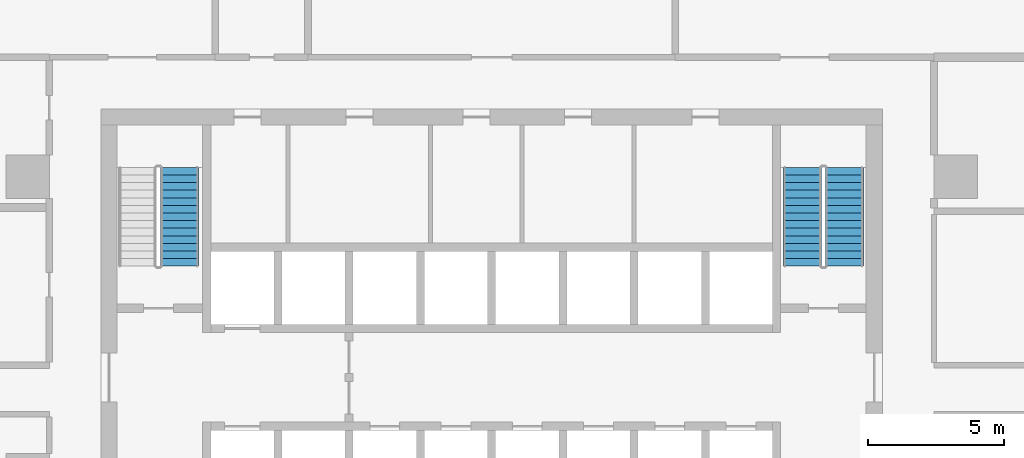
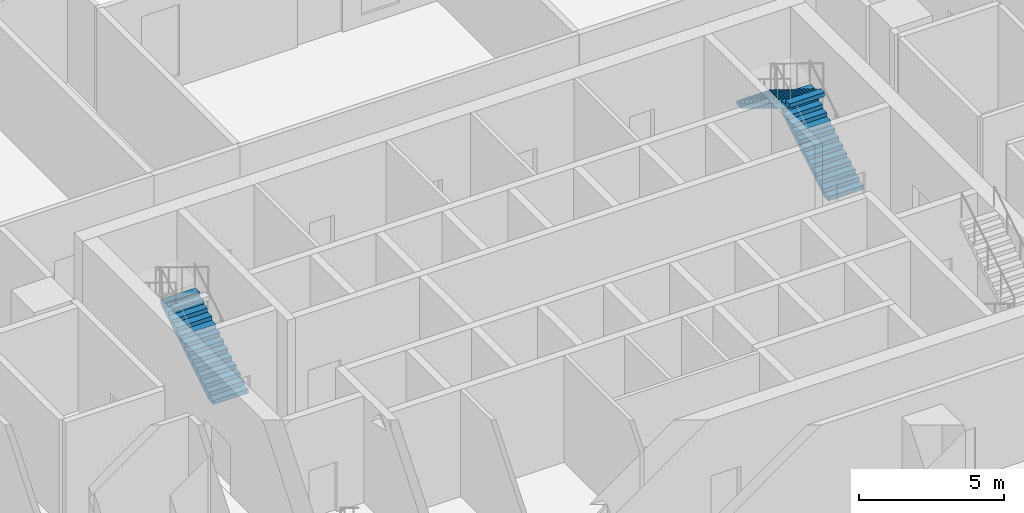
# One storey, part 11 of 17: 3 stair flights, 2 elements without a shape of their own.
"""IFC4 building model written with IfcOpenShell, lengths in metres."""

import ifcopenshell
import ifcopenshell.guid

model = None  # the IFC model being written
_history = None  # IfcOwnerHistory: only IFC2X3 demands one
_inside = {}  # id of a spatial element -> (the spatial element, [elements in it])
_under = {}  # id of a project, library or spatial element -> (it, [spatial elements below it])
_declared = {}  # id of a project -> (the project, [libraries it declares])
_typed = {}  # id of a type object -> (the type object, [elements of that type])
_made_of = {}  # id of a material, layer set ... -> (it, [elements and type objects made of it])


def new_model(schema):
    """Start an empty IFC model of exactly this schema.

    Asked for "IFC4X3", IfcOpenShell would pick the latest addendum, in which some entities
    have other attributes; the version numbers below select the first issue.
    IFC2X3 requires an IfcOwnerHistory on every rooted entity: one is made here for all.
    """
    global model, _history
    if schema == "IFC4X3":
        model = ifcopenshell.file(schema_version=(4, 3, 0, 0))
    else:
        model = ifcopenshell.file(schema=schema)
    _inside.clear()
    _under.clear()
    _declared.clear()
    _typed.clear()
    _made_of.clear()
    _history = None
    if model.schema == "IFC2X3":
        org = make("IfcOrganization", Name="unknown")
        user = make(
            "IfcPersonAndOrganization",
            ThePerson=make("IfcPerson", FamilyName="unknown"),
            TheOrganization=org,
        )
        app = make(
            "IfcApplication",
            ApplicationDeveloper=org,
            Version="unknown",
            ApplicationFullName="unknown",
            ApplicationIdentifier="unknown",
        )
        _history = make(
            "IfcOwnerHistory",
            OwningUser=user,
            OwningApplication=app,
            ChangeAction="ADDED",
            CreationDate=0,
        )
    return model


def make(cls, **values):
    """One entity of the class cls with the attributes given. An attribute that is None is left unset."""
    return model.create_entity(
        cls, **{name: value for name, value in values.items() if value is not None}
    )


def rooted(cls, **values):
    """An entity with a GlobalId (a new one), such as an element, a storey or a relation."""
    return make(cls, GlobalId=ifcopenshell.guid.new(), OwnerHistory=_history, **values)


def si_unit(unit_type, name, prefix=None):
    """IfcSIUnit, for example si_unit("LENGTHUNIT", "METRE", prefix="MILLI")."""
    return make("IfcSIUnit", UnitType=unit_type, Prefix=prefix, Name=name)


def assignment(units):
    """IfcUnitAssignment: the units of a project."""
    return None if units is None else make("IfcUnitAssignment", Units=units)


def point(xyz):
    """IfcCartesianPoint."""
    return None if xyz is None else make("IfcCartesianPoint", Coordinates=xyz)


def direction(xyz):
    """IfcDirection."""
    return None if xyz is None else make("IfcDirection", DirectionRatios=xyz)


def frame(location, z_axis=None, x_axis=None):
    """IfcAxis2Placement3D, a coordinate frame: its origin and axes. An axis left out is left unset."""
    return make(
        "IfcAxis2Placement3D",
        Location=point(location),
        Axis=direction(z_axis),
        RefDirection=direction(x_axis),
    )


def origin():
    """The frame at (0, 0, 0) with its axes left unset."""
    return frame((0.0, 0.0, 0.0))


def place(relative_to, where):
    """IfcLocalPlacement: puts the frame where relative to a parent placement (None: the world)."""
    return make(
        "IfcLocalPlacement", PlacementRelTo=relative_to, RelativePlacement=where
    )


def context(
    kind, dimensions, precision=None, world=None, true_north=None, identifier=None
):
    """IfcGeometricRepresentationContext, for example the 3D "Model" context."""
    return make(
        "IfcGeometricRepresentationContext",
        ContextIdentifier=identifier,
        ContextType=kind,
        CoordinateSpaceDimension=dimensions,
        Precision=precision,
        WorldCoordinateSystem=world,
        TrueNorth=true_north,
    )


def subcontext(parent, identifier, kind, view, scale=None):
    """IfcGeometricRepresentationSubContext, for example "Body" below "Model"."""
    return make(
        "IfcGeometricRepresentationSubContext",
        ContextIdentifier=identifier,
        ContextType=kind,
        ParentContext=parent,
        TargetScale=scale,
        TargetView=view,
    )


def project(units=None, contexts=None):
    """IfcProject with its units and contexts."""
    return rooted(
        "IfcProject",
        Name="project",
        RepresentationContexts=contexts,
        UnitsInContext=assignment(units),
    )


def spatial(cls, under=None, at=None, **own):
    """A site, building, storey or space (cls), placed at a placement, below another one or the project."""
    s = rooted(cls, ObjectPlacement=at, **own)
    if under is not None:
        _under.setdefault(under.id(), (under, []))[1].append(s)
    return s


def polyline(points):
    """IfcPolyline through the points."""
    return make("IfcPolyline", Points=[point(p) for p in points])


def outline(outer, holes=None, kind="AREA"):
    """IfcArbitraryClosedProfileDef: a profile drawn as a closed curve; with holes, ...WithVoids."""
    if holes is None:
        return make("IfcArbitraryClosedProfileDef", ProfileType=kind, OuterCurve=outer)
    return make(
        "IfcArbitraryProfileDefWithVoids",
        ProfileType=kind,
        OuterCurve=outer,
        InnerCurves=holes,
    )


def extrude(swept, where, along, depth):
    """IfcExtrudedAreaSolid: the profile swept, set in the frame where, extruded along a direction by depth."""
    return make(
        "IfcExtrudedAreaSolid",
        SweptArea=swept,
        Position=where,
        ExtrudedDirection=direction(along),
        Depth=depth,
    )


def shape(context_of_items, identifier, shape_type, items):
    """IfcShapeRepresentation: the items that make up one representation, for example the "Body"."""
    return make(
        "IfcShapeRepresentation",
        ContextOfItems=context_of_items,
        RepresentationIdentifier=identifier,
        RepresentationType=shape_type,
        Items=items,
    )


def material(Name=None, Category=None):
    """IfcMaterial."""
    return make("IfcMaterial", Name=Name, Category=Category)


def made_of(thing, what):
    """Note that an element or type object is made of a material, layer set ...; save() writes the relation."""
    if what is not None:
        _made_of.setdefault(what.id(), (what, []))[1].append(thing)
    return thing


def type_object(cls, material=None, **own):
    """A type object (cls), such as IfcWallType, which elements share."""
    return made_of(rooted(cls, **own), material)


def element(
    cls,
    number,
    at=None,
    inside=None,
    cuts=None,
    type_object=None,
    material=None,
    context=None,
    identifier="Body",
    shape_type=None,
    held_by="IfcProductDefinitionShape",
    body=None,
    shapes=None,
    **own,
):
    """One element of the class cls, such as IfcWall. Its Tag is "e" and its number.

    at: its placement. inside: the storey or other place that contains it. cuts: it is an
    opening in that element (IfcRelVoidsElement). A single representation is given by context,
    identifier, shape_type and body (its items); several are given by shapes. held_by: the class
    of the entity that holds the representations. save() writes the other relations.
    """
    e = rooted(cls, Tag="e%d" % number, ObjectPlacement=at, **own)
    if body is not None:
        shapes = [shape(context, identifier, shape_type, body)]
    if shapes is not None:
        e.Representation = make(held_by, Representations=shapes)
    if inside is not None:
        _inside.setdefault(inside.id(), (inside, []))[1].append(e)
    if cuts is not None:
        rooted(
            "IfcRelVoidsElement", RelatingBuildingElement=cuts, RelatedOpeningElement=e
        )
    if type_object is not None:
        _typed.setdefault(type_object.id(), (type_object, []))[1].append(e)
    return made_of(e, material)


def aggregate(whole, parts):
    """IfcRelAggregates: a whole, such as a stair, and the parts it consists of."""
    return rooted("IfcRelAggregates", RelatingObject=whole, RelatedObjects=parts)


def save(model, path):
    """Write the relations noted so far, then the file.

    IfcRelAggregates (storeys below a building ...), IfcRelContainedInSpatialStructure (elements
    in a storey), IfcRelDefinesByType, IfcRelAssociatesMaterial and IfcRelDeclares: one each for
    every whole, place, type object, material and project.
    """
    for whole, parts in _under.values():
        aggregate(whole, parts)
    for where, things in _inside.values():
        rooted(
            "IfcRelContainedInSpatialStructure",
            RelatedElements=things,
            RelatingStructure=where,
        )
    for kind, things in _typed.values():
        rooted("IfcRelDefinesByType", RelatedObjects=things, RelatingType=kind)
    for what, things in _made_of.values():
        rooted("IfcRelAssociatesMaterial", RelatedObjects=things, RelatingMaterial=what)
    for by, libraries in _declared.values():
        rooted("IfcRelDeclares", RelatingContext=by, RelatedDefinitions=libraries)
    model.write(path)


model = new_model("IFC4")

# Units and contexts
model_context = context("Model", 3, precision=1e-05, world=origin(), true_north=direction((0.0, 1.0)))
body_context = subcontext(model_context, "Body", "Model", "MODEL_VIEW")
ifc_project = project(units=[si_unit("LENGTHUNIT", "METRE"), si_unit("AREAUNIT", "SQUARE_METRE"), si_unit("VOLUMEUNIT", "CUBIC_METRE"), si_unit("PLANEANGLEUNIT", "RADIAN"), si_unit("MASSUNIT", "GRAM", prefix="KILO")], contexts=[model_context])

# Site, building, storey
site_placement = place(None, origin())
site = spatial("IfcSite", under=ifc_project, at=site_placement, CompositionType="ELEMENT")
building_placement = place(site_placement, origin())
building = spatial("IfcBuilding", under=site, at=building_placement, Name="Mopane Tessera Tower", CompositionType="ELEMENT")
storey_placement = place(building_placement, frame((0.0, 0.0, 45.39990234375)))
storey = spatial("IfcBuildingStorey", under=building, at=storey_placement, Name="L08", CompositionType="ELEMENT", Elevation=45.39990234375)

# Stair, stair flight
ifc_material_1 = material(Name="Concrete C50/60", Category="concrete")
stair_type = type_object("IfcStairType", Name="Escape stair 1400 mm, riser 171 mm", PredefinedType="HALF_TURN_STAIR", material=ifc_material_1)
stair_1_placement = place(storey_placement, origin())
stair_1 = element("IfcStair", 1, at=stair_1_placement, inside=storey, type_object=stair_type, Name="L08 Escape stair north-west", PredefinedType="HALF_TURN_STAIR")
ifc_material_2 = material(Name="Concrete C50/60", Category="concrete")
stair_flight_type = type_object("IfcStairFlightType", Name="Escape stair flight 1400 mm", PredefinedType="STRAIGHT", material=ifc_material_2)
stair_flight_1_placement = place(storey_placement, frame((-11.5, 7.699951171875, 0.0), z_axis=(0.0, 0.0, 1.0), x_axis=(0.0, 1.0, 0.0)))
stair_flight_1 = element("IfcStairFlight", 2, at=stair_flight_1_placement, type_object=stair_flight_type, Name="ST2 flight 1", NumberOfRisers=14, NumberOfTreads=13, PredefinedType="STRAIGHT", RiserHeight=0.171428571, TreadLength=0.28, context=body_context, shape_type="SweptSolid", body=[
    extrude(outline(polyline([(0.0, 0.0), (0.0, 0.17138671875), (0.280029296875, 0.17138671875), (0.280029296875, 0.3427734375), (0.56005859375, 0.3427734375), (0.56005859375, 0.514404296875), (0.840087890625, 0.514404296875), (0.840087890625, 0.685791015625), (1.1201171875, 0.685791015625), (1.1201171875, 0.857177734375), (1.39990234375, 0.857177734375), (1.39990234375, 1.028564453125), (1.679931640625, 1.028564453125), (1.679931640625, 1.199951171875), (1.9599609375, 1.199951171875), (1.9599609375, 1.371337890625), (2.239990234375, 1.371337890625), (2.239990234375, 1.54296875), (2.52001953125, 1.54296875), (2.52001953125, 1.71435546875), (2.800048828125, 1.71435546875), (2.800048828125, 1.8857421875), (3.080078125, 1.8857421875), (3.080078125, 2.05712890625), (3.360107421875, 2.05712890625), (3.360107421875, 2.228515625), (3.639892578125, 2.228515625), (3.639892578125, 2.39990234375), (3.639892578125, 2.052734375), (0.287109375, 0.0), (0.0, 0.0)])), frame((0.0, 0.699951171875, 0.0), z_axis=(0.0, -1.0, 0.0), x_axis=(1.0, 0.0, 0.0)), (0.0, 0.0, 1.0), 1.39990234375),
])
aggregate(stair_1, [stair_flight_1])

# Stair, stair flights
stair_2_placement = place(storey_placement, origin())
stair_2 = element("IfcStair", 3, at=stair_2_placement, inside=storey, type_object=stair_type, Name="L08 Escape stair north-east", PredefinedType="HALF_TURN_STAIR")
stair_flight_2_placement = place(storey_placement, frame((13.0, 7.699951171875, 0.0), z_axis=(0.0, 0.0, 1.0), x_axis=(0.0, 1.0, 0.0)))
stair_flight_2 = element("IfcStairFlight", 4, at=stair_flight_2_placement, type_object=stair_flight_type, Name="ST4 flight 1", NumberOfRisers=14, NumberOfTreads=13, PredefinedType="STRAIGHT", RiserHeight=0.171428571, TreadLength=0.28, context=body_context, shape_type="SweptSolid", body=[
    extrude(outline(polyline([(0.0, 0.0), (0.0, 0.17138671875), (0.280029296875, 0.17138671875), (0.280029296875, 0.3427734375), (0.56005859375, 0.3427734375), (0.56005859375, 0.514404296875), (0.840087890625, 0.514404296875), (0.840087890625, 0.685791015625), (1.1201171875, 0.685791015625), (1.1201171875, 0.857177734375), (1.39990234375, 0.857177734375), (1.39990234375, 1.028564453125), (1.679931640625, 1.028564453125), (1.679931640625, 1.199951171875), (1.9599609375, 1.199951171875), (1.9599609375, 1.371337890625), (2.239990234375, 1.371337890625), (2.239990234375, 1.54296875), (2.52001953125, 1.54296875), (2.52001953125, 1.71435546875), (2.800048828125, 1.71435546875), (2.800048828125, 1.8857421875), (3.080078125, 1.8857421875), (3.080078125, 2.05712890625), (3.360107421875, 2.05712890625), (3.360107421875, 2.228515625), (3.639892578125, 2.228515625), (3.639892578125, 2.39990234375), (3.639892578125, 2.052734375), (0.287109375, 0.0), (0.0, 0.0)])), frame((0.0, 0.699951171875, 0.0), z_axis=(0.0, -1.0, 0.0), x_axis=(1.0, 0.0, 0.0)), (0.0, 0.0, 1.0), 1.39990234375),
])
stair_flight_3_placement = place(storey_placement, frame((11.449951171875, 11.340087890625, 2.400146484375), z_axis=(0.0, 0.0, 1.0), x_axis=(0.0, -1.0, 0.0)))
stair_flight_3 = element("IfcStairFlight", 5, at=stair_flight_3_placement, type_object=stair_flight_type, Name="ST4 flight 2", NumberOfRisers=14, NumberOfTreads=13, PredefinedType="STRAIGHT", RiserHeight=0.171428571, TreadLength=0.28, context=body_context, shape_type="SweptSolid", body=[
    extrude(outline(polyline([(0.0, 0.0), (0.0, 0.17138671875), (0.280029296875, 0.17138671875), (0.280029296875, 0.3427734375), (0.56005859375, 0.3427734375), (0.56005859375, 0.514404296875), (0.840087890625, 0.514404296875), (0.840087890625, 0.685791015625), (1.1201171875, 0.685791015625), (1.1201171875, 0.857177734375), (1.39990234375, 0.857177734375), (1.39990234375, 1.028564453125), (1.679931640625, 1.028564453125), (1.679931640625, 1.199951171875), (1.9599609375, 1.199951171875), (1.9599609375, 1.371337890625), (2.239990234375, 1.371337890625), (2.239990234375, 1.54296875), (2.52001953125, 1.54296875), (2.52001953125, 1.71435546875), (2.800048828125, 1.71435546875), (2.800048828125, 1.8857421875), (3.080078125, 1.8857421875), (3.080078125, 2.05712890625), (3.360107421875, 2.05712890625), (3.360107421875, 2.228515625), (3.639892578125, 2.228515625), (3.639892578125, 2.39990234375), (3.639892578125, 2.052734375), (0.287109375, 0.0), (0.0, 0.0)])), frame((0.0, 0.699951171875, 0.0), z_axis=(0.0, -1.0, 0.0), x_axis=(1.0, 0.0, 0.0)), (0.0, 0.0, 1.0), 1.39990234375),
])
aggregate(stair_2, [stair_flight_2, stair_flight_3])

save(model, "model.ifc")
